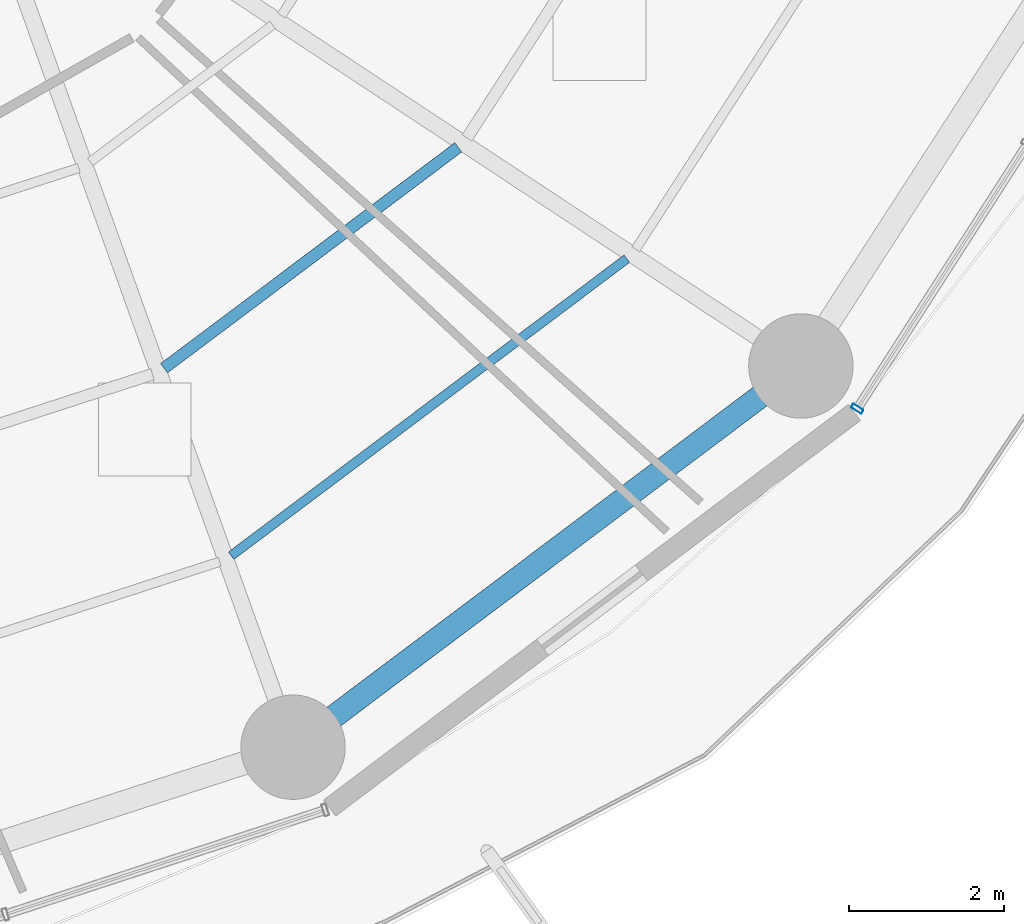
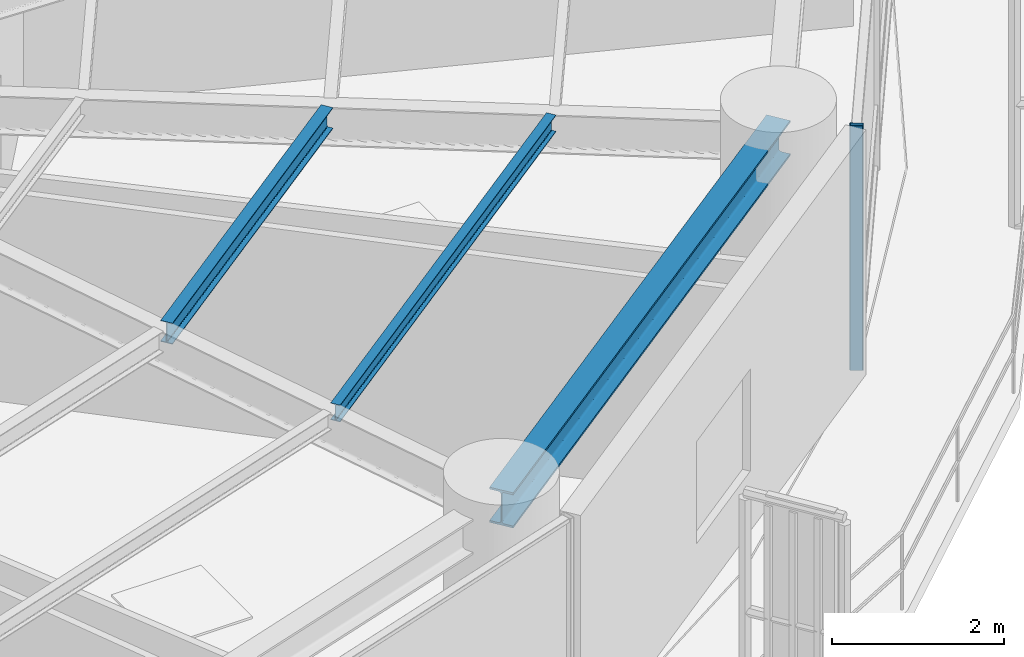
# One storey, part 11 of 35: 3 beams, 1 member, 1 element without a shape of its own.
"""IFC4 building model written with IfcOpenShell, lengths in metres."""

from ifc_helpers import new_model, si_unit, direction, frame, origin, origin_2d, place, context, subcontext, project, spatial, hollow_rectangle, i_section, extrude, material, layer, layer_set, material_profile, profile_set, type_object, element, aggregate, save


model = new_model("IFC4")

# Units and contexts
model_context = context("Model", 3, precision=1e-05, world=origin(), true_north=direction((0.0, 1.0)))
body_context = subcontext(model_context, "Body", "Model", "MODEL_VIEW")
ifc_project = project(units=[si_unit("LENGTHUNIT", "METRE"), si_unit("AREAUNIT", "SQUARE_METRE"), si_unit("VOLUMEUNIT", "CUBIC_METRE"), si_unit("PLANEANGLEUNIT", "RADIAN"), si_unit("MASSUNIT", "GRAM", prefix="KILO")], contexts=[model_context])

# Site, building, storey
site_placement = place(None, origin())
site = spatial("IfcSite", under=ifc_project, at=site_placement, CompositionType="ELEMENT")
building_placement = place(site_placement, origin())
building = spatial("IfcBuilding", under=site, at=building_placement, Name="Kelanora Arch Commons", CompositionType="ELEMENT")
storey_placement = place(building_placement, frame((0.0, 0.0, 87.60009765625)))
storey = spatial("IfcBuildingStorey", under=building, at=storey_placement, Name="L22", CompositionType="ELEMENT", Elevation=87.60009765625)

# Beams
ifc_material_1 = material(Name="Steel S355", Category="steel")
ifc_material_profile_1 = material_profile(ifc_material_1, i_section(OverallWidth=0.14990234375, OverallDepth=0.300048828125, WebThickness=0.007080078125, FlangeThickness=0.0107421875, FilletRadius=0.014892578125, at=origin_2d()), Name="IPE300")
ifc_profile_set_1 = profile_set([ifc_material_profile_1], Name="Steel S355")
beam_type_1 = type_object("IfcBeamType", Name="BM-JST-01", PredefinedType="JOIST", material=ifc_profile_set_1)
beam_1_placement = place(storey_placement, frame((84.672119140625, 43.77783203125, 3.33984375), z_axis=(0.79971039107, 0.600385951214, 0.0), x_axis=(-0.600385951214, 0.79971039107, 0.0)))
element("IfcBeam", 1, at=beam_1_placement, inside=storey, type_object=beam_type_1, Name="Secondary Chord Joist BJB-30 L22", PredefinedType="JOIST", context=body_context, shape_type="SweptSolid", body=[
    extrude(i_section(OverallWidth=0.14990234375, OverallDepth=0.300048828125, WebThickness=0.007080078125, FlangeThickness=0.0107421875, FilletRadius=0.014892578125, at=origin_2d()), origin(), (0.0, 0.0, 1.0), 4.756103515625),
])
ifc_material_profile_2 = material_profile(ifc_material_1, i_section(OverallWidth=0.1201171875, OverallDepth=0.239990234375, WebThickness=0.006103515625, FlangeThickness=0.009765625, FilletRadius=0.014892578125, at=origin_2d()), Name="IPE240")
ifc_profile_set_2 = profile_set([ifc_material_profile_2], Name="Steel S355")
beam_type_2 = type_object("IfcBeamType", Name="BM-JST-02", PredefinedType="JOIST", material=ifc_profile_set_2)
beam_2_placement = place(storey_placement, frame((85.5400390625, 41.353515625, 3.369873046875), z_axis=(0.799734335646, 0.600354055861, 0.0), x_axis=(-0.600354055861, 0.799734335646, 0.0)))
element("IfcBeam", 2, at=beam_2_placement, inside=storey, type_object=beam_type_2, Name="Secondary Chord Joist BJC-30 L22", PredefinedType="JOIST", context=body_context, shape_type="SweptSolid", body=[
    extrude(i_section(OverallWidth=0.1201171875, OverallDepth=0.239990234375, WebThickness=0.006103515625, FlangeThickness=0.009765625, FilletRadius=0.014892578125, at=origin_2d()), origin(), (0.0, 0.0, 1.0), 6.39794921875),
])
ifc_material_profile_3 = material_profile(ifc_material_1, i_section(OverallWidth=0.300048828125, OverallDepth=0.5, WebThickness=0.014404296875, FlangeThickness=0.028076171875, FilletRadius=0.027099609375, at=origin_2d()), Name="HEB500")
ifc_profile_set_3 = profile_set([ifc_material_profile_3], Name="Steel S355")
beam_type_3 = type_object("IfcBeamType", Name="BM-SPN-Z2", PredefinedType="SPANDREL", material=ifc_profile_set_3)
beam_3_placement = place(storey_placement, frame((86.340087890625, 38.878173828125, 3.239990234375), z_axis=(0.799735861602, 0.600352023123, 0.0), x_axis=(-0.600352023123, 0.799735861602, 0.0)))
element("IfcBeam", 3, at=beam_3_placement, inside=storey, type_object=beam_type_3, Name="Perimeter Spandrel Beam BS-30 L22", PredefinedType="SPANDREL", context=body_context, shape_type="SweptSolid", body=[
    extrude(i_section(OverallWidth=0.300048828125, OverallDepth=0.5, WebThickness=0.014404296875, FlangeThickness=0.028076171875, FilletRadius=0.027099609375, at=origin_2d()), origin(), (0.0, 0.0, 1.0), 8.210205078125),
])

# Curtain wall, member
ifc_material_2 = material(Name="Terracotta ceramic-fritted low-E glass and aluminium", Category="masonry")
ifc_layer = layer(ifc_material_2, 0.159912109375)
ifc_layer_set = layer_set([ifc_layer], Name="Terracotta ceramic-fritted low-E glass and aluminium")
curtain_wall_type = type_object("IfcCurtainWallType", Name="CW-SYS-01", PredefinedType="NOTDEFINED", material=ifc_layer_set)
curtain_wall_placement = place(storey_placement, origin())
curtain_wall = element("IfcCurtainWall", 4, at=curtain_wall_placement, inside=storey, type_object=curtain_wall_type, Name="Unitised Curtain Wall L22-B16", PredefinedType="NOTDEFINED")
ifc_material_3 = material(Name="Powder-coated aluminium terracotta", Category="masonry")
ifc_material_profile_4 = material_profile(ifc_material_3, hollow_rectangle(XDim=0.159912109375, YDim=0.06005859375, WallThickness=0.0048828125, InnerFilletRadius=0.0048828125, OuterFilletRadius=0.010009765625, at=origin_2d()), Name="CWM160x60")
ifc_profile_set_4 = profile_set([ifc_material_profile_4], Name="Powder-coated aluminium terracotta")
member_type = type_object("IfcMemberType", Name="CWM-STD", PredefinedType="MULLION", material=ifc_profile_set_4)
member_placement = place(storey_placement, frame((93.635009765625, 43.253662109375, 0.0), z_axis=(0.0, 0.0, 1.0), x_axis=(-0.841268883088, 0.540616931244, 0.0)))
member = element("IfcMember", 5, at=member_placement, type_object=member_type, Name="CW-01 mullion 1", PredefinedType="MULLION", context=body_context, shape_type="SweptSolid", body=[
    extrude(hollow_rectangle(XDim=0.159912109375, YDim=0.06005859375, WallThickness=0.0048828125, InnerFilletRadius=0.0048828125, OuterFilletRadius=0.010009765625, at=origin_2d()), origin(), (0.0, 0.0, 1.0), 3.474853515625),
])
aggregate(curtain_wall, [member])

save(model, "model.ifc")
